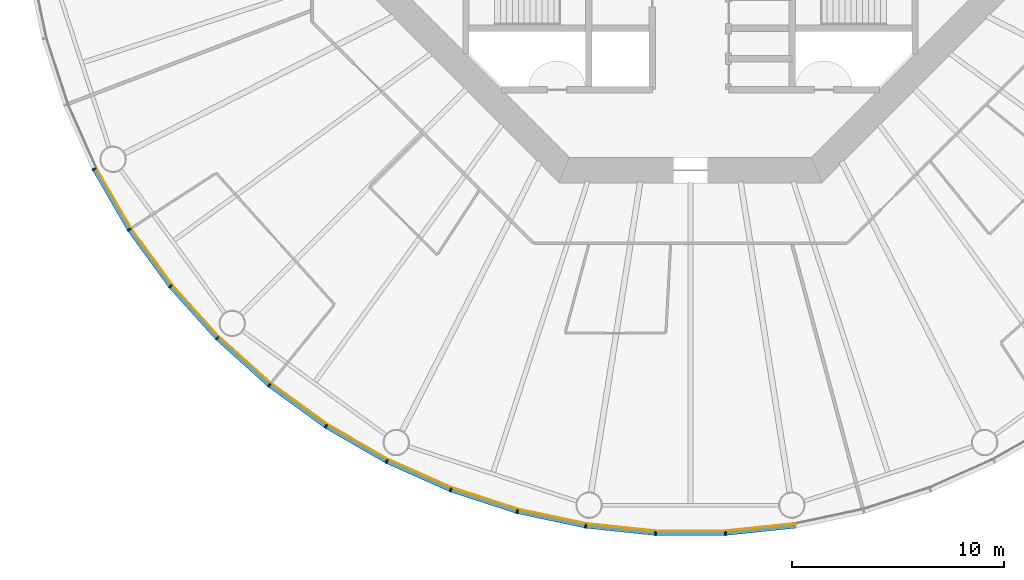
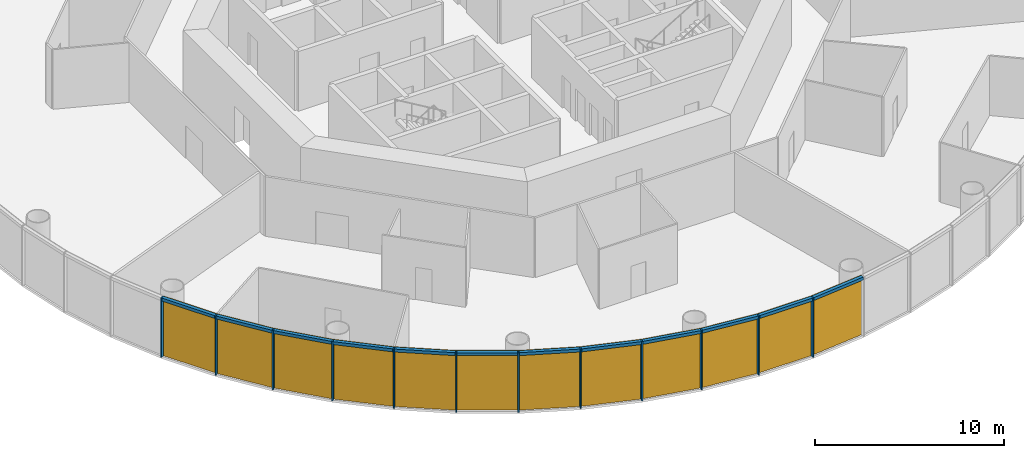
# One storey, part 7 of 13: 24 members, 4 curtain walls.
"""IFC4 building model written with IfcOpenShell, lengths in metres."""

from ifc_helpers import new_model, si_unit, direction, frame, origin, origin_2d, place, context, subcontext, project, spatial, polyline, rectangle, outline, extrude, material, layer, layer_set, material_profile, profile_set, type_object, element, aggregate, save


model = new_model("IFC4")

# Units and contexts
model_context = context("Model", 3, precision=1e-05, world=origin(), true_north=direction((0.0, 1.0)))
body_context = subcontext(model_context, "Body", "Model", "MODEL_VIEW")
ifc_project = project(units=[si_unit("LENGTHUNIT", "METRE"), si_unit("AREAUNIT", "SQUARE_METRE"), si_unit("VOLUMEUNIT", "CUBIC_METRE"), si_unit("PLANEANGLEUNIT", "RADIAN"), si_unit("MASSUNIT", "GRAM", prefix="KILO")], contexts=[model_context])

# Member
ifc_material_1 = material(Name="Anodised aluminium", Category="aluminium")
ifc_material_profile_1 = material_profile(ifc_material_1, rectangle(XDim=0.070068359375, YDim=0.199951171875, at=origin_2d()), Name="Mullion 70 x 200 mm anodised aluminium")
ifc_profile_set_1 = profile_set([ifc_material_profile_1], Name="Anodised aluminium")
member_type_1 = type_object("IfcMemberType", Name="Mullion 70 x 200 mm anodised aluminium", PredefinedType="MULLION", material=ifc_profile_set_1)
site_placement = place(None, origin())
building_placement = place(site_placement, origin())
storey_placement = place(building_placement, frame((0.0, 0.0, 124.0)))
member_1_placement = place(storey_placement, frame((61.84423828125, 65.65380859375, 0.0), z_axis=(0.0, 0.0, 1.0), x_axis=(0.45399049974, -0.891006524188, 0.0)))
member_1 = element("IfcMember", 1, at=member_1_placement, type_object=member_type_1, Name="MULLION L28-33", PredefinedType="MULLION", context=body_context, shape_type="SweptSolid", body=[
    extrude(rectangle(XDim=0.070068359375, YDim=0.199951171875, at=origin_2d()), origin(), (0.0, 0.0, 1.0), 3.85009765625),
])

member_2_placement = place(storey_placement, frame((63.498046875, 62.789306640625, 0.0), z_axis=(0.0, 0.0, 1.0), x_axis=(0.544639035015, -0.838670567945, 0.0)))
member_2 = element("IfcMember", 2, at=member_2_placement, type_object=member_type_1, Name="MULLION L28-34", PredefinedType="MULLION", context=body_context, shape_type="SweptSolid", body=[
    extrude(rectangle(XDim=0.070068359375, YDim=0.199951171875, at=origin_2d()), origin(), (0.0, 0.0, 1.0), 3.85009765625),
])

member_3_placement = place(storey_placement, frame((65.442138671875, 60.113525390625, 0.0), z_axis=(0.0, 0.0, 1.0), x_axis=(0.62932039105, -0.777145961457, 0.0)))
member_3 = element("IfcMember", 3, at=member_3_placement, type_object=member_type_1, Name="MULLION L28-35", PredefinedType="MULLION", context=body_context, shape_type="SweptSolid", body=[
    extrude(rectangle(XDim=0.070068359375, YDim=0.199951171875, at=origin_2d()), origin(), (0.0, 0.0, 1.0), 3.85009765625),
])

member_4_placement = place(storey_placement, frame((67.655517578125, 57.655517578125, 0.0), z_axis=(0.0, 0.0, 1.0), x_axis=(0.707106781187, -0.707106781187, 0.0)))
member_4 = element("IfcMember", 4, at=member_4_placement, type_object=member_type_1, Name="MULLION L28-36", PredefinedType="MULLION", context=body_context, shape_type="SweptSolid", body=[
    extrude(rectangle(XDim=0.070068359375, YDim=0.199951171875, at=origin_2d()), origin(), (0.0, 0.0, 1.0), 3.85009765625),
])

member_5_placement = place(storey_placement, frame((70.113525390625, 55.442138671875, 0.0), z_axis=(0.0, 0.0, 1.0), x_axis=(0.777145961457, -0.62932039105, 0.0)))
member_5 = element("IfcMember", 5, at=member_5_placement, type_object=member_type_1, Name="MULLION L28-37", PredefinedType="MULLION", context=body_context, shape_type="SweptSolid", body=[
    extrude(rectangle(XDim=0.070068359375, YDim=0.199951171875, at=origin_2d()), origin(), (0.0, 0.0, 1.0), 3.85009765625),
])

member_6_placement = place(storey_placement, frame((72.789306640625, 53.498046875, 0.0), z_axis=(0.0, 0.0, 1.0), x_axis=(0.838670567945, -0.544639035015, 0.0)))
member_6 = element("IfcMember", 6, at=member_6_placement, type_object=member_type_1, Name="MULLION L28-38", PredefinedType="MULLION", context=body_context, shape_type="SweptSolid", body=[
    extrude(rectangle(XDim=0.070068359375, YDim=0.199951171875, at=origin_2d()), origin(), (0.0, 0.0, 1.0), 3.85009765625),
])

member_7_placement = place(storey_placement, frame((75.65380859375, 51.84423828125, 0.0), z_axis=(0.0, 0.0, 1.0), x_axis=(0.891006524188, -0.45399049974, 0.0)))
member_7 = element("IfcMember", 7, at=member_7_placement, type_object=member_type_1, Name="MULLION L28-39", PredefinedType="MULLION", context=body_context, shape_type="SweptSolid", body=[
    extrude(rectangle(XDim=0.070068359375, YDim=0.199951171875, at=origin_2d()), origin(), (0.0, 0.0, 1.0), 3.85009765625),
])

member_8_placement = place(storey_placement, frame((78.675537109375, 50.498779296875, 0.0), z_axis=(0.0, 0.0, 1.0), x_axis=(0.933580426497, -0.358367949545, 0.0)))
member_8 = element("IfcMember", 8, at=member_8_placement, type_object=member_type_1, Name="MULLION L28-40", PredefinedType="MULLION", context=body_context, shape_type="SweptSolid", body=[
    extrude(rectangle(XDim=0.070068359375, YDim=0.199951171875, at=origin_2d()), origin(), (0.0, 0.0, 1.0), 3.85009765625),
])

member_9_placement = place(storey_placement, frame((81.8212890625, 49.476806640625, 0.0), z_axis=(0.0, 0.0, 1.0), x_axis=(0.965925826289, -0.258819045103, 0.0)))
member_9 = element("IfcMember", 9, at=member_9_placement, type_object=member_type_1, Name="MULLION L28-41", PredefinedType="MULLION", context=body_context, shape_type="SweptSolid", body=[
    extrude(rectangle(XDim=0.070068359375, YDim=0.199951171875, at=origin_2d()), origin(), (0.0, 0.0, 1.0), 3.85009765625),
])

member_10_placement = place(storey_placement, frame((85.056640625, 48.7890625, 0.0), z_axis=(0.0, 0.0, 1.0), x_axis=(0.987688340595, -0.15643446504, 0.0)))
member_10 = element("IfcMember", 10, at=member_10_placement, type_object=member_type_1, Name="MULLION L28-42", PredefinedType="MULLION", context=body_context, shape_type="SweptSolid", body=[
    extrude(rectangle(XDim=0.070068359375, YDim=0.199951171875, at=origin_2d()), origin(), (0.0, 0.0, 1.0), 3.85009765625),
])

member_11_placement = place(storey_placement, frame((88.34619140625, 48.443359375, 0.0), z_axis=(0.0, 0.0, 1.0), x_axis=(0.998629534755, -0.052335956243, 0.0)))
member_11 = element("IfcMember", 11, at=member_11_placement, type_object=member_type_1, Name="MULLION L28-43", PredefinedType="MULLION", context=body_context, shape_type="SweptSolid", body=[
    extrude(rectangle(XDim=0.070068359375, YDim=0.199951171875, at=origin_2d()), origin(), (0.0, 0.0, 1.0), 3.85009765625),
])

member_12_placement = place(storey_placement, frame((91.65380859375, 48.443359375, 0.0), z_axis=(0.0, 0.0, 1.0), x_axis=(0.998629534755, 0.052335956243, 0.0)))
member_12 = element("IfcMember", 12, at=member_12_placement, type_object=member_type_1, Name="MULLION L28-44", PredefinedType="MULLION", context=body_context, shape_type="SweptSolid", body=[
    extrude(rectangle(XDim=0.070068359375, YDim=0.199951171875, at=origin_2d()), origin(), (0.0, 0.0, 1.0), 3.85009765625),
])

ifc_material_2 = material(Name="Anodised aluminium", Category="aluminium")
ifc_material_profile_2 = material_profile(ifc_material_2, rectangle(XDim=0.199951171875, YDim=0.18994140625, at=origin_2d()), Name="Transom 190 x 200 mm anodised aluminium")
ifc_profile_set_2 = profile_set([ifc_material_profile_2], Name="Anodised aluminium")
member_type_2 = type_object("IfcMemberType", Name="Transom 190 x 200 mm anodised aluminium", PredefinedType="USERDEFINED", material=ifc_profile_set_2)
member_13_placement = place(storey_placement, frame((61.8642578125, 65.618896484375, 3.7548828125), z_axis=(0.500004055213, -0.866023062494, 0.0), x_axis=(0.866023062494, 0.500004055213, 0.0)))
member_13 = element("IfcMember", 13, at=member_13_placement, type_object=member_type_2, Name="TRANSOM L28-33", ObjectType="TRANSOM", PredefinedType="USERDEFINED", context=body_context, shape_type="SweptSolid", body=[
    extrude(rectangle(XDim=0.199951171875, YDim=0.18994140625, at=origin_2d()), origin(), (0.0, 0.0, 1.0), 3.22705078125),
])

member_14_placement = place(storey_placement, frame((63.521484375, 62.7568359375, 3.7548828125), z_axis=(0.587802790201, -0.809004252048, 0.0), x_axis=(0.809004252048, 0.587802790201, 0.0)))
member_14 = element("IfcMember", 14, at=member_14_placement, type_object=member_type_2, Name="TRANSOM L28-34", ObjectType="TRANSOM", PredefinedType="USERDEFINED", context=body_context, shape_type="SweptSolid", body=[
    extrude(rectangle(XDim=0.199951171875, YDim=0.18994140625, at=origin_2d()), origin(), (0.0, 0.0, 1.0), 3.227294921875),
])

member_15_placement = place(storey_placement, frame((65.468994140625, 60.08349609375, 3.7548828125), z_axis=(0.669144438484, -0.743132370743, 0.0), x_axis=(0.743132370743, 0.669144438484, 0.0)))
member_15 = element("IfcMember", 15, at=member_15_placement, type_object=member_type_2, Name="TRANSOM L28-35", ObjectType="TRANSOM", PredefinedType="USERDEFINED", context=body_context, shape_type="SweptSolid", body=[
    extrude(rectangle(XDim=0.199951171875, YDim=0.18994140625, at=origin_2d()), origin(), (0.0, 0.0, 1.0), 3.22705078125),
])

member_16_placement = place(storey_placement, frame((67.685302734375, 57.62841796875, 3.7548828125), z_axis=(0.743132370743, -0.669144438484, 0.0), x_axis=(0.669144438484, 0.743132370743, 0.0)))
member_16 = element("IfcMember", 16, at=member_16_placement, type_object=member_type_2, Name="TRANSOM L28-36", ObjectType="TRANSOM", PredefinedType="USERDEFINED", context=body_context, shape_type="SweptSolid", body=[
    extrude(rectangle(XDim=0.199951171875, YDim=0.18994140625, at=origin_2d()), origin(), (0.0, 0.0, 1.0), 3.22705078125),
])

member_17_placement = place(storey_placement, frame((70.14599609375, 55.41845703125, 3.7548828125), z_axis=(0.809004252048, -0.587802790201, 0.0), x_axis=(0.587802790201, 0.809004252048, 0.0)))
member_17 = element("IfcMember", 17, at=member_17_placement, type_object=member_type_2, Name="TRANSOM L28-37", ObjectType="TRANSOM", PredefinedType="USERDEFINED", context=body_context, shape_type="SweptSolid", body=[
    extrude(rectangle(XDim=0.199951171875, YDim=0.18994140625, at=origin_2d()), origin(), (0.0, 0.0, 1.0), 3.227294921875),
])

member_18_placement = place(storey_placement, frame((72.82421875, 53.477783203125, 3.7548828125), z_axis=(0.866023062494, -0.500004055213, 0.0), x_axis=(0.500004055213, 0.866023062494, 0.0)))
member_18 = element("IfcMember", 18, at=member_18_placement, type_object=member_type_2, Name="TRANSOM L28-38", ObjectType="TRANSOM", PredefinedType="USERDEFINED", context=body_context, shape_type="SweptSolid", body=[
    extrude(rectangle(XDim=0.199951171875, YDim=0.18994140625, at=origin_2d()), origin(), (0.0, 0.0, 1.0), 3.22705078125),
])

member_19_placement = place(storey_placement, frame((75.690673828125, 51.82763671875, 3.7548828125), z_axis=(0.913549291349, -0.406728032322, 0.0), x_axis=(0.406728032322, 0.913549291349, 0.0)))
member_19 = element("IfcMember", 19, at=member_19_placement, type_object=member_type_2, Name="TRANSOM L28-39", ObjectType="TRANSOM", PredefinedType="USERDEFINED", context=body_context, shape_type="SweptSolid", body=[
    extrude(rectangle(XDim=0.199951171875, YDim=0.18994140625, at=origin_2d()), origin(), (0.0, 0.0, 1.0), 3.22705078125),
])

member_20_placement = place(storey_placement, frame((78.7138671875, 50.486328125, 3.7548828125), z_axis=(0.951046855117, -0.309046726844, 0.0), x_axis=(0.309046726844, 0.951046855117, 0.0)))
member_20 = element("IfcMember", 20, at=member_20_placement, type_object=member_type_2, Name="TRANSOM L28-40", ObjectType="TRANSOM", PredefinedType="USERDEFINED", context=body_context, shape_type="SweptSolid", body=[
    extrude(rectangle(XDim=0.199951171875, YDim=0.18994140625, at=origin_2d()), origin(), (0.0, 0.0, 1.0), 3.22705078125),
])

member_21_placement = place(storey_placement, frame((81.860595703125, 49.46826171875, 3.7548828125), z_axis=(0.978153082647, -0.207885898771, 0.0), x_axis=(0.207885898771, 0.978153082647, 0.0)))
member_21 = element("IfcMember", 21, at=member_21_placement, type_object=member_type_2, Name="TRANSOM L28-41", ObjectType="TRANSOM", PredefinedType="USERDEFINED", context=body_context, shape_type="SweptSolid", body=[
    extrude(rectangle(XDim=0.199951171875, YDim=0.18994140625, at=origin_2d()), origin(), (0.0, 0.0, 1.0), 3.227294921875),
])

member_22_placement = place(storey_placement, frame((85.0966796875, 48.78466796875, 3.7548828125), z_axis=(0.994519537956, -0.104550890115, 0.0), x_axis=(0.104550890115, 0.994519537956, 0.0)))
member_22 = element("IfcMember", 22, at=member_22_placement, type_object=member_type_2, Name="TRANSOM L28-42", ObjectType="TRANSOM", PredefinedType="USERDEFINED", context=body_context, shape_type="SweptSolid", body=[
    extrude(rectangle(XDim=0.199951171875, YDim=0.18994140625, at=origin_2d()), origin(), (0.0, 0.0, 1.0), 3.22705078125),
])

member_23_placement = place(storey_placement, frame((88.386474609375, 48.443115234375, 3.7548828125), z_axis=(1.0, 0.0, 0.0), x_axis=(0.0, 1.0, 0.0)))
member_23 = element("IfcMember", 23, at=member_23_placement, type_object=member_type_2, Name="TRANSOM L28-43", ObjectType="TRANSOM", PredefinedType="USERDEFINED", context=body_context, shape_type="SweptSolid", body=[
    extrude(rectangle(XDim=0.199951171875, YDim=0.18994140625, at=origin_2d()), origin(), (0.0, 0.0, 1.0), 3.22705078125),
])

member_24_placement = place(storey_placement, frame((91.69384765625, 48.447265625, 3.7548828125), z_axis=(0.994519537956, 0.104550890115, 0.0), x_axis=(-0.104550890115, 0.994519537956, 0.0)))
member_24 = element("IfcMember", 24, at=member_24_placement, type_object=member_type_2, Name="TRANSOM L28-44", ObjectType="TRANSOM", PredefinedType="USERDEFINED", context=body_context, shape_type="SweptSolid", body=[
    extrude(rectangle(XDim=0.199951171875, YDim=0.18994140625, at=origin_2d()), origin(), (0.0, 0.0, 1.0), 3.22705078125),
])

# Site, building, storey
site = spatial("IfcSite", under=ifc_project, at=site_placement, CompositionType="ELEMENT")
building = spatial("IfcBuilding", under=site, at=building_placement, Name="Entoto Ring Tower", CompositionType="ELEMENT")
storey = spatial("IfcBuildingStorey", under=building, at=storey_placement, Name="L28", CompositionType="ELEMENT", Elevation=124.0)

# Curtain wall
ifc_material_3 = material(Name="Clear low-iron glass", Category="glass")
ifc_layer = layer(ifc_material_3, 0.035888671875)
ifc_layer_set = layer_set([ifc_layer], Name="Clear low-iron glass")
curtain_wall_type = type_object("IfcCurtainWallType", Name="Curtain wall system CW2 glazing 36 mm", PredefinedType="NOTDEFINED", material=ifc_layer_set)
curtain_wall_1_placement = place(storey_placement, origin())
curtain_wall_1 = element("IfcCurtainWall", 25, at=curtain_wall_1_placement, inside=storey, type_object=curtain_wall_type, Name="CW2 L28-12", PredefinedType="NOTDEFINED", context=body_context, shape_type="SweptSolid", body=[
    extrude(outline(polyline([(61.933349609375, 65.69921875), (63.581787109375, 62.84375), (65.52001953125, 60.176513671875), (67.72607421875, 57.72607421875), (67.751708984375, 57.751708984375), (65.5478515625, 60.198974609375), (63.612060546875, 62.863525390625), (61.96533203125, 65.715576171875), (61.933349609375, 65.69921875)])), origin(), (0.0, 0.0, 1.0), 3.85009765625),
])

aggregate(curtain_wall_1, [member_1, member_2, member_3, member_13, member_14, member_15])

curtain_wall_2_placement = place(storey_placement, origin())
curtain_wall_2 = element("IfcCurtainWall", 26, at=curtain_wall_2_placement, inside=storey, type_object=curtain_wall_type, Name="CW2 L28-13", PredefinedType="NOTDEFINED", context=body_context, shape_type="SweptSolid", body=[
    extrude(outline(polyline([(67.72607421875, 57.72607421875), (70.176513671875, 55.52001953125), (72.84375, 53.581787109375), (75.69921875, 51.933349609375), (75.715576171875, 51.96533203125), (72.863525390625, 53.612060546875), (70.198974609375, 55.5478515625), (67.751708984375, 57.751708984375), (67.72607421875, 57.72607421875)])), origin(), (0.0, 0.0, 1.0), 3.85009765625),
])

aggregate(curtain_wall_2, [member_4, member_5, member_6, member_16, member_17, member_18])

curtain_wall_3_placement = place(storey_placement, origin())
curtain_wall_3 = element("IfcCurtainWall", 27, at=curtain_wall_3_placement, inside=storey, type_object=curtain_wall_type, Name="CW2 L28-14", PredefinedType="NOTDEFINED", context=body_context, shape_type="SweptSolid", body=[
    extrude(outline(polyline([(75.69921875, 51.933349609375), (78.71142578125, 50.59228515625), (81.84716796875, 49.5732421875), (85.072265625, 48.8876953125), (85.077880859375, 48.92333984375), (81.8564453125, 49.608154296875), (78.724365234375, 50.6259765625), (75.715576171875, 51.96533203125), (75.69921875, 51.933349609375)])), origin(), (0.0, 0.0, 1.0), 3.85009765625),
])

aggregate(curtain_wall_3, [member_7, member_8, member_9, member_19, member_20, member_21])

curtain_wall_4_placement = place(storey_placement, origin())
curtain_wall_4 = element("IfcCurtainWall", 28, at=curtain_wall_4_placement, inside=storey, type_object=curtain_wall_type, Name="CW2 L28-15", PredefinedType="NOTDEFINED", context=body_context, shape_type="SweptSolid", body=[
    extrude(outline(polyline([(85.072265625, 48.8876953125), (88.351318359375, 48.543212890625), (91.648681640625, 48.543212890625), (94.927734375, 48.8876953125), (94.922119140625, 48.92333984375), (91.646728515625, 48.5791015625), (88.353271484375, 48.5791015625), (85.077880859375, 48.92333984375), (85.072265625, 48.8876953125)])), origin(), (0.0, 0.0, 1.0), 3.85009765625),
])

aggregate(curtain_wall_4, [member_10, member_11, member_12, member_22, member_23, member_24])

save(model, "model.ifc")
